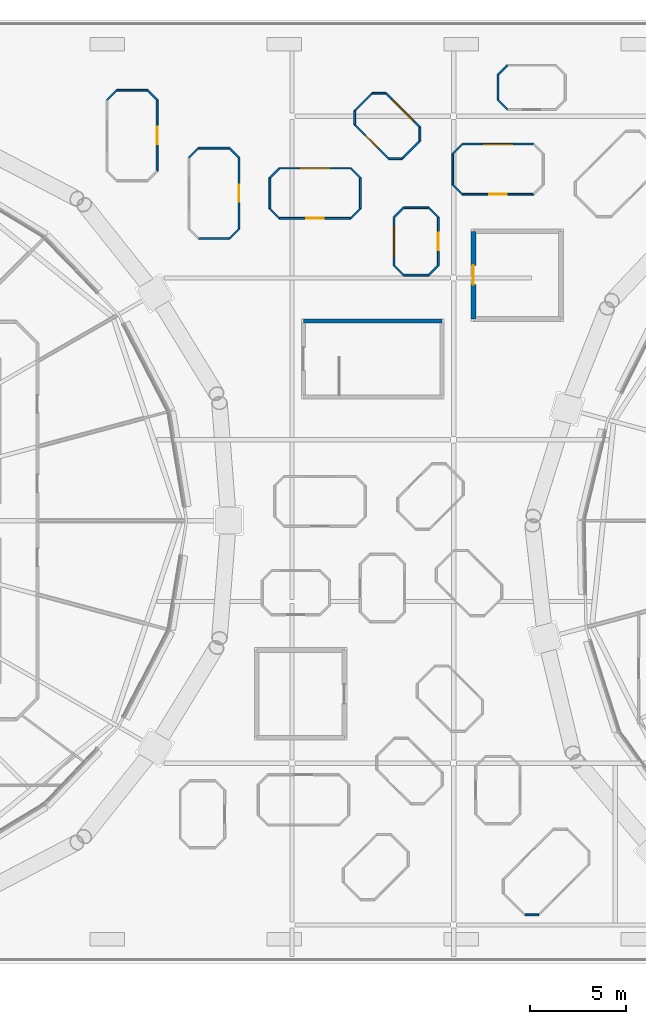
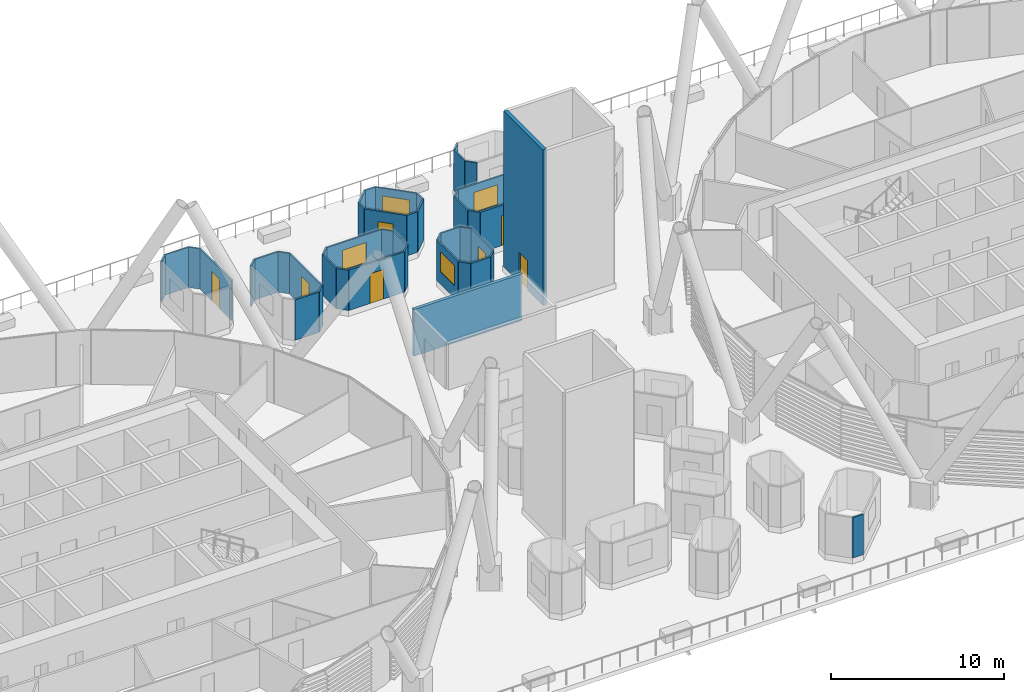
# One storey, part 29 of 47: 45 walls, 7 doors, 4 windows, 11 openings.
"""IFC4 building model written with IfcOpenShell, lengths in metres."""

from ifc_helpers import new_model, si_unit, direction, frame, frame_2d, origin, place, context, subcontext, project, spatial, rectangle, extrude, material, layer, layer_set, type_object, element, fill, save


model = new_model("IFC4")

# Units and contexts
model_context = context("Model", 3, precision=1e-05, world=origin(), true_north=direction((0.0, 1.0)))
body_context = subcontext(model_context, "Body", "Model", "MODEL_VIEW")
ifc_project = project(units=[si_unit("LENGTHUNIT", "METRE"), si_unit("AREAUNIT", "SQUARE_METRE"), si_unit("VOLUMEUNIT", "CUBIC_METRE"), si_unit("PLANEANGLEUNIT", "RADIAN"), si_unit("MASSUNIT", "GRAM", prefix="KILO")], contexts=[model_context])

# Site, building, storey
site_placement = place(None, origin())
site = spatial("IfcSite", under=ifc_project, at=site_placement, CompositionType="ELEMENT")
building_placement = place(site_placement, origin())
building = spatial("IfcBuilding", under=site, at=building_placement, Name="Rimbun Link Towers", CompositionType="ELEMENT")
storey_placement = place(building_placement, frame((0.0, 0.0, 30.0)))
storey = spatial("IfcBuildingStorey", under=building, at=storey_placement, Name="L06", CompositionType="ELEMENT", Elevation=30.0)

# Wall, opening, door
ifc_material_1 = material(Name="Terracotta-faced insulated sandwich panel", Category="masonry")
ifc_layer_1 = layer(ifc_material_1, 0.10009765625)
ifc_layer_set_1 = layer_set([ifc_layer_1], Name="CAPSULE entrance panel 100")
wall_type_1 = type_object("IfcWallType", Name="CAPSULE entrance panel 100", PredefinedType="STANDARD", material=ifc_layer_set_1)
wall_1_placement = place(storey_placement, frame((-4.85009765625, 15.699951171875, 0.409912109375), z_axis=(0.0, 0.0, 1.0), x_axis=(1.0, 0.0, 0.0)))
wall_1 = element("IfcWall", 1, at=wall_1_placement, inside=storey, type_object=wall_type_1, Name="CAPSULE P09 shell panel 7", PredefinedType="STANDARD", context=body_context, shape_type="SweptSolid", body=[
    extrude(rectangle(XDim=3.7001953125, YDim=0.10009765625, at=frame_2d((1.85009765625, 0.0))), origin(), (0.0, 0.0, 1.0), 2.85009765625),
])
opening_1_placement = place(wall_1_placement, frame((1.39990234375, 0.0, 0.0)))
opening_1 = element("IfcOpeningElement", 2, at=opening_1_placement, cuts=wall_1, Name="Opening CD06.09", PredefinedType="OPENING", context=body_context, shape_type="SweptSolid", body=[
    extrude(rectangle(XDim=0.89990234375, YDim=2.10009765625, at=frame_2d((0.449951171875, 1.050048828125))), frame((0.0, 0.06005859375, 0.0), z_axis=(0.0, -1.0, 0.0), x_axis=(1.0, 0.0, 0.0)), (0.0, 0.0, 1.0), 0.1201171875),
])
ifc_material_2 = material(Name="Aluminium framed insulated door leaf", Category="aluminium")
door_type_1 = type_object("IfcDoorType", Name="CAPSULE door single leaf 900X2100", OperationType="SINGLE_SWING_LEFT", PredefinedType="DOOR", material=ifc_material_2)
door_1_placement = place(opening_1_placement, origin())
door_1 = element("IfcDoor", 3, at=door_1_placement, inside=storey, type_object=door_type_1, Name="CAPSULE P09 door", OperationType="SINGLE_SWING_LEFT", OverallHeight=2.10009765625, OverallWidth=0.89990234375, PredefinedType="DOOR", context=body_context, shape_type="SweptSolid", body=[
    extrude(rectangle(XDim=0.89990234375, YDim=2.10009765625, at=frame_2d((0.449951171875, 1.050048828125))), frame((0.0, 0.02490234375, 0.0), z_axis=(0.0, -1.0, 0.0), x_axis=(1.0, 0.0, 0.0)), (0.0, 0.0, 1.0), 0.050048828125),
])
fill(opening_1, door_1)

wall_2_placement = place(storey_placement, frame((-6.949951171875, 15.14990234375, 0.409912109375), z_axis=(0.0, 0.0, 1.0), x_axis=(0.0, 1.0, 0.0)))
wall_2 = element("IfcWall", 4, at=wall_2_placement, inside=storey, type_object=wall_type_1, Name="CAPSULE P10 shell panel 7", PredefinedType="STANDARD", context=body_context, shape_type="SweptSolid", body=[
    extrude(rectangle(XDim=3.7001953125, YDim=0.10009765625, at=frame_2d((1.85009765625, 0.0))), origin(), (0.0, 0.0, 1.0), 2.85009765625),
])
opening_2_placement = place(wall_2_placement, frame((1.39990234375, 0.0, 0.0)))
opening_2 = element("IfcOpeningElement", 5, at=opening_2_placement, cuts=wall_2, Name="Opening CD06.10", PredefinedType="OPENING", context=body_context, shape_type="SweptSolid", body=[
    extrude(rectangle(XDim=0.89990234375, YDim=2.10009765625, at=frame_2d((0.449951171875, 1.050048828125))), frame((0.0, 0.06005859375, 0.0), z_axis=(0.0, -1.0, 0.0), x_axis=(1.0, 0.0, 0.0)), (0.0, 0.0, 1.0), 0.1201171875),
])
door_2_placement = place(opening_2_placement, origin())
door_2 = element("IfcDoor", 6, at=door_2_placement, inside=storey, type_object=door_type_1, Name="CAPSULE P10 door", OperationType="SINGLE_SWING_RIGHT", OverallHeight=2.10009765625, OverallWidth=0.89990234375, PredefinedType="DOOR", context=body_context, shape_type="SweptSolid", body=[
    extrude(rectangle(XDim=0.89990234375, YDim=2.10009765625, at=frame_2d((0.449951171875, 1.050048828125))), frame((0.0, 0.02490234375, 0.0), z_axis=(0.0, -1.0, 0.0), x_axis=(1.0, 0.0, 0.0)), (0.0, 0.0, 1.0), 0.050048828125),
])
fill(opening_2, door_2)

wall_3_placement = place(storey_placement, frame((3.39990234375, 13.25, 0.409912109375), z_axis=(0.0, 0.0, 1.0), x_axis=(0.0, 1.0, 0.0)))
wall_3 = element("IfcWall", 7, at=wall_3_placement, inside=storey, type_object=wall_type_1, Name="CAPSULE P15 shell panel 7", PredefinedType="STANDARD", context=body_context, shape_type="SweptSolid", body=[
    extrude(rectangle(XDim=2.5, YDim=0.10009765625, at=frame_2d((1.25, 0.0))), origin(), (0.0, 0.0, 1.0), 2.85009765625),
])
opening_3_placement = place(wall_3_placement, frame((0.800048828125, 0.0, 0.0)))
opening_3 = element("IfcOpeningElement", 8, at=opening_3_placement, cuts=wall_3, Name="Opening CD06.15", PredefinedType="OPENING", context=body_context, shape_type="SweptSolid", body=[
    extrude(rectangle(XDim=0.89990234375, YDim=2.10009765625, at=frame_2d((0.449951171875, 1.050048828125))), frame((0.0, 0.06005859375, 0.0), z_axis=(0.0, -1.0, 0.0), x_axis=(1.0, 0.0, 0.0)), (0.0, 0.0, 1.0), 0.1201171875),
])
door_3_placement = place(opening_3_placement, origin())
door_3 = element("IfcDoor", 9, at=door_3_placement, inside=storey, type_object=door_type_1, Name="CAPSULE P15 door", OperationType="SINGLE_SWING_LEFT", OverallHeight=2.10009765625, OverallWidth=0.89990234375, PredefinedType="DOOR", context=body_context, shape_type="SweptSolid", body=[
    extrude(rectangle(XDim=0.89990234375, YDim=2.10009765625, at=frame_2d((0.449951171875, 1.050048828125))), frame((0.0, 0.02490234375, 0.0), z_axis=(0.0, -1.0, 0.0), x_axis=(1.0, 0.0, 0.0)), (0.0, 0.0, 1.0), 0.050048828125),
])
fill(opening_3, door_3)

wall_4_placement = place(storey_placement, frame((4.64990234375, 16.949951171875, 0.409912109375), z_axis=(0.0, 0.0, 1.0), x_axis=(1.0, 0.0, 0.0)))
wall_4 = element("IfcWall", 10, at=wall_4_placement, inside=storey, type_object=wall_type_1, Name="CAPSULE P16 shell panel 7", PredefinedType="STANDARD", context=body_context, shape_type="SweptSolid", body=[
    extrude(rectangle(XDim=3.7001953125, YDim=0.10009765625, at=frame_2d((1.85009765625, 0.0))), origin(), (0.0, 0.0, 1.0), 2.85009765625),
])
opening_4_placement = place(wall_4_placement, frame((1.39990234375, 0.0, 0.0)))
opening_4 = element("IfcOpeningElement", 11, at=opening_4_placement, cuts=wall_4, Name="Opening CD06.16", PredefinedType="OPENING", context=body_context, shape_type="SweptSolid", body=[
    extrude(rectangle(XDim=0.89990234375, YDim=2.10009765625, at=frame_2d((0.449951171875, 1.050048828125))), frame((0.0, 0.06005859375, 0.0), z_axis=(0.0, -1.0, 0.0), x_axis=(1.0, 0.0, 0.0)), (0.0, 0.0, 1.0), 0.1201171875),
])
door_4_placement = place(opening_4_placement, origin())
door_4 = element("IfcDoor", 12, at=door_4_placement, inside=storey, type_object=door_type_1, Name="CAPSULE P16 door", OperationType="SINGLE_SWING_RIGHT", OverallHeight=2.10009765625, OverallWidth=0.89990234375, PredefinedType="DOOR", context=body_context, shape_type="SweptSolid", body=[
    extrude(rectangle(XDim=0.89990234375, YDim=2.10009765625, at=frame_2d((0.449951171875, 1.050048828125))), frame((0.0, 0.02490234375, 0.0), z_axis=(0.0, -1.0, 0.0), x_axis=(1.0, 0.0, 0.0)), (0.0, 0.0, 1.0), 0.050048828125),
])
fill(opening_4, door_4)

wall_5_placement = place(storey_placement, frame((-11.199951171875, 18.14990234375, 0.409912109375), z_axis=(0.0, 0.0, 1.0), x_axis=(0.0, 1.0, 0.0)))
wall_5 = element("IfcWall", 13, at=wall_5_placement, inside=storey, type_object=wall_type_1, Name="CAPSULE P18 shell panel 7", PredefinedType="STANDARD", context=body_context, shape_type="SweptSolid", body=[
    extrude(rectangle(XDim=3.7001953125, YDim=0.10009765625, at=frame_2d((1.85009765625, 0.0))), origin(), (0.0, 0.0, 1.0), 2.85009765625),
])
opening_5_placement = place(wall_5_placement, frame((1.39990234375, 0.0, 0.0)))
opening_5 = element("IfcOpeningElement", 14, at=opening_5_placement, cuts=wall_5, Name="Opening CD06.18", PredefinedType="OPENING", context=body_context, shape_type="SweptSolid", body=[
    extrude(rectangle(XDim=0.89990234375, YDim=2.10009765625, at=frame_2d((0.449951171875, 1.050048828125))), frame((0.0, 0.06005859375, 0.0), z_axis=(0.0, -1.0, 0.0), x_axis=(1.0, 0.0, 0.0)), (0.0, 0.0, 1.0), 0.1201171875),
])
door_5_placement = place(opening_5_placement, origin())
door_5 = element("IfcDoor", 15, at=door_5_placement, inside=storey, type_object=door_type_1, Name="CAPSULE P18 door", OperationType="SINGLE_SWING_RIGHT", OverallHeight=2.10009765625, OverallWidth=0.89990234375, PredefinedType="DOOR", context=body_context, shape_type="SweptSolid", body=[
    extrude(rectangle(XDim=0.89990234375, YDim=2.10009765625, at=frame_2d((0.449951171875, 1.050048828125))), frame((0.0, 0.02490234375, 0.0), z_axis=(0.0, -1.0, 0.0), x_axis=(1.0, 0.0, 0.0)), (0.0, 0.0, 1.0), 0.050048828125),
])
fill(opening_5, door_5)

wall_6_placement = place(storey_placement, frame((-0.947021484375, 20.57080078125, 0.409912109375), z_axis=(0.0, 0.0, 1.0), x_axis=(0.707106781187, -0.707106781187, 0.0)))
wall_6 = element("IfcWall", 16, at=wall_6_placement, inside=storey, type_object=wall_type_1, Name="CAPSULE P19 shell panel 3", PredefinedType="STANDARD", context=body_context, shape_type="SweptSolid", body=[
    extrude(rectangle(XDim=2.5, YDim=0.10009765625, at=frame_2d((1.25, 0.0))), origin(), (0.0, 0.0, 1.0), 2.85009765625),
])
opening_6_placement = place(wall_6_placement, frame((0.800048828125, 0.0, 0.0)))
opening_6 = element("IfcOpeningElement", 17, at=opening_6_placement, cuts=wall_6, Name="Opening CD06.19", PredefinedType="OPENING", context=body_context, shape_type="SweptSolid", body=[
    extrude(rectangle(XDim=0.89990234375, YDim=2.10009765625, at=frame_2d((0.449951171875, 1.050048828125))), frame((0.0, 0.06005859375, 0.0), z_axis=(0.0, -1.0, 0.0), x_axis=(1.0, 0.0, 0.0)), (0.0, 0.0, 1.0), 0.1201171875),
])
door_6_placement = place(opening_6_placement, origin())
door_6 = element("IfcDoor", 18, at=door_6_placement, inside=storey, type_object=door_type_1, Name="CAPSULE P19 door", OperationType="SINGLE_SWING_LEFT", OverallHeight=2.10009765625, OverallWidth=0.89990234375, PredefinedType="DOOR", context=body_context, shape_type="SweptSolid", body=[
    extrude(rectangle(XDim=0.89990234375, YDim=2.10009765625, at=frame_2d((0.449951171875, 1.050048828125))), frame((0.0, 0.02490234375, 0.0), z_axis=(0.0, -1.0, 0.0), x_axis=(1.0, 0.0, 0.0)), (0.0, 0.0, 1.0), 0.050048828125),
])
fill(opening_6, door_6)

# Walls
ifc_material_3 = material(Name="Terracotta-faced insulated sandwich panel", Category="masonry")
ifc_layer_2 = layer(ifc_material_3, 0.10009765625)
ifc_layer_set_2 = layer_set([ifc_layer_2], Name="CAPSULE shell panel 100")
wall_type_2 = type_object("IfcWallType", Name="CAPSULE shell panel 100", PredefinedType="STANDARD", material=ifc_layer_set_2)
wall_7_placement = place(storey_placement, frame((-0.64990234375, 16.199951171875, 0.409912109375), z_axis=(0.0, 0.0, 1.0), x_axis=(0.0, 1.0, 0.0)))
element("IfcWall", 19, at=wall_7_placement, inside=storey, type_object=wall_type_2, Name="CAPSULE P09 shell panel 1", PredefinedType="STANDARD", context=body_context, shape_type="SweptSolid", body=[
    extrude(rectangle(XDim=1.60009765625, YDim=0.10009765625, at=frame_2d((0.800048828125, 0.0))), origin(), (0.0, 0.0, 1.0), 2.85009765625),
])
wall_8_placement = place(storey_placement, frame((-0.64990234375, 17.800048828125, 0.409912109375), z_axis=(0.0, 0.0, 1.0), x_axis=(-0.707106781187, 0.707106781187, 0.0)))
element("IfcWall", 20, at=wall_8_placement, inside=storey, type_object=wall_type_2, Name="CAPSULE P09 shell panel 2", PredefinedType="STANDARD", context=body_context, shape_type="SweptSolid", body=[
    extrude(rectangle(XDim=0.70703125, YDim=0.10009765625, at=frame_2d((0.353515625, 0.0))), origin(), (0.0, 0.0, 1.0), 2.85009765625),
])

# Wall, opening, window
wall_9_placement = place(storey_placement, frame((-1.14990234375, 18.300048828125, 0.409912109375), z_axis=(0.0, 0.0, 1.0), x_axis=(-1.0, 0.0, 0.0)))
wall_9 = element("IfcWall", 21, at=wall_9_placement, inside=storey, type_object=wall_type_2, Name="CAPSULE P09 shell panel 3", PredefinedType="STANDARD", context=body_context, shape_type="SweptSolid", body=[
    extrude(rectangle(XDim=3.7001953125, YDim=0.10009765625, at=frame_2d((1.85009765625, 0.0))), origin(), (0.0, 0.0, 1.0), 2.85009765625),
])
opening_7_placement = place(wall_9_placement, frame((1.050048828125, 0.0, 0.89990234375)))
opening_7 = element("IfcOpeningElement", 22, at=opening_7_placement, cuts=wall_9, Name="Opening CN06.09", PredefinedType="OPENING", context=body_context, shape_type="SweptSolid", body=[
    extrude(rectangle(XDim=1.60009765625, YDim=1.39990234375, at=frame_2d((0.800048828125, 0.699951171875))), frame((0.0, 0.06005859375, 0.0), z_axis=(0.0, -1.0, 0.0), x_axis=(1.0, 0.0, 0.0)), (0.0, 0.0, 1.0), 0.1201171875),
])
ifc_material_4 = material(Name="Aluminium framed window, low-iron glass", Category="aluminium")
window_type = type_object("IfcWindowType", Name="CAPSULE window 1600X1400", PartitioningType="SINGLE_PANEL", PredefinedType="WINDOW", material=ifc_material_4)
window_1_placement = place(opening_7_placement, origin())
window_1 = element("IfcWindow", 23, at=window_1_placement, inside=storey, type_object=window_type, Name="CAPSULE P09 window", OverallHeight=1.39990234375, OverallWidth=1.60009765625, PartitioningType="SINGLE_PANEL", PredefinedType="WINDOW", context=body_context, shape_type="SweptSolid", body=[
    extrude(rectangle(XDim=1.60009765625, YDim=1.39990234375, at=frame_2d((0.800048828125, 0.699951171875))), frame((0.0, 0.030029296875, 0.0), z_axis=(0.0, -1.0, 0.0), x_axis=(1.0, 0.0, 0.0)), (0.0, 0.0, 1.0), 0.06005859375),
])
fill(opening_7, window_1)

# Walls
wall_10_placement = place(storey_placement, frame((-4.85009765625, 18.300048828125, 0.409912109375), z_axis=(0.0, 0.0, 1.0), x_axis=(-0.707106781187, -0.707106781187, 0.0)))
element("IfcWall", 24, at=wall_10_placement, inside=storey, type_object=wall_type_2, Name="CAPSULE P09 shell panel 4", PredefinedType="STANDARD", context=body_context, shape_type="SweptSolid", body=[
    extrude(rectangle(XDim=0.70703125, YDim=0.10009765625, at=frame_2d((0.353515625, 0.0))), origin(), (0.0, 0.0, 1.0), 2.85009765625),
])
wall_11_placement = place(storey_placement, frame((-5.35009765625, 17.800048828125, 0.409912109375), z_axis=(0.0, 0.0, 1.0), x_axis=(0.0, -1.0, 0.0)))
element("IfcWall", 25, at=wall_11_placement, inside=storey, type_object=wall_type_2, Name="CAPSULE P09 shell panel 5", PredefinedType="STANDARD", context=body_context, shape_type="SweptSolid", body=[
    extrude(rectangle(XDim=1.60009765625, YDim=0.10009765625, at=frame_2d((0.800048828125, 0.0))), origin(), (0.0, 0.0, 1.0), 2.85009765625),
])
for number, where, z_axis, x_axis, name in (
    (26, (-5.35009765625, 16.199951171875, 0.409912109375), (0.0, 0.0, 1.0), (0.707106781187, -0.707106781187, 0.0), "CAPSULE P09 shell panel 6"),
    (27, (-1.14990234375, 15.699951171875, 0.409912109375), (0.0, 0.0, 1.0), (0.707106781187, 0.707106781187, 0.0), "CAPSULE P09 shell panel 8"),
):
    element("IfcWall", number, at=place(storey_placement, frame(where, z_axis=z_axis, x_axis=x_axis)), inside=storey, type_object=wall_type_2, Name=name, PredefinedType="STANDARD", context=body_context, shape_type="SweptSolid", body=[
        extrude(rectangle(XDim=0.70703125, YDim=0.10009765625, at=frame_2d((0.353515625, 0.0))), origin(), (0.0, 0.0, 1.0), 2.85009765625),
    ])
wall_12_placement = place(storey_placement, frame((-7.449951171875, 19.35009765625, 0.409912109375), z_axis=(0.0, 0.0, 1.0), x_axis=(-1.0, 0.0, 0.0)))
element("IfcWall", 28, at=wall_12_placement, inside=storey, type_object=wall_type_2, Name="CAPSULE P10 shell panel 1", PredefinedType="STANDARD", context=body_context, shape_type="SweptSolid", body=[
    extrude(rectangle(XDim=1.60009765625, YDim=0.10009765625, at=frame_2d((0.800048828125, 0.0))), origin(), (0.0, 0.0, 1.0), 2.85009765625),
])
wall_13_placement = place(storey_placement, frame((-9.050048828125, 19.35009765625, 0.409912109375), z_axis=(0.0, 0.0, 1.0), x_axis=(-0.707106781187, -0.707106781187, 0.0)))
element("IfcWall", 29, at=wall_13_placement, inside=storey, type_object=wall_type_2, Name="CAPSULE P10 shell panel 2", PredefinedType="STANDARD", context=body_context, shape_type="SweptSolid", body=[
    extrude(rectangle(XDim=0.70703125, YDim=0.10009765625, at=frame_2d((0.353515625, 0.0))), origin(), (0.0, 0.0, 1.0), 2.85009765625),
])
wall_14_placement = place(storey_placement, frame((-9.050048828125, 14.64990234375, 0.409912109375), z_axis=(0.0, 0.0, 1.0), x_axis=(1.0, 0.0, 0.0)))
element("IfcWall", 30, at=wall_14_placement, inside=storey, type_object=wall_type_2, Name="CAPSULE P10 shell panel 5", PredefinedType="STANDARD", context=body_context, shape_type="SweptSolid", body=[
    extrude(rectangle(XDim=1.60009765625, YDim=0.10009765625, at=frame_2d((0.800048828125, 0.0))), origin(), (0.0, 0.0, 1.0), 2.85009765625),
])
for number, where, z_axis, x_axis, name in (
    (31, (-7.449951171875, 14.64990234375, 0.409912109375), (0.0, 0.0, 1.0), (0.707106781187, 0.707106781187, 0.0), "CAPSULE P10 shell panel 6"),
    (32, (-6.949951171875, 18.85009765625, 0.409912109375), (0.0, 0.0, 1.0), (-0.707106781187, 0.707106781187, 0.0), "CAPSULE P10 shell panel 8"),
    (33, (7.904052734375, -20.477294921875, 0.409912109375), (0.0, 0.0, 1.0), (1.0, 0.0, 0.0), "CAPSULE P12 shell panel 6"),
):
    element("IfcWall", number, at=place(storey_placement, frame(where, z_axis=z_axis, x_axis=x_axis)), inside=storey, type_object=wall_type_2, Name=name, PredefinedType="STANDARD", context=body_context, shape_type="SweptSolid", body=[
        extrude(rectangle(XDim=0.70703125, YDim=0.10009765625, at=frame_2d((0.353515625, 0.0))), origin(), (0.0, 0.0, 1.0), 2.85009765625),
    ])
wall_15_placement = place(storey_placement, frame((2.89990234375, 16.25, 0.409912109375), z_axis=(0.0, 0.0, 1.0), x_axis=(-1.0, 0.0, 0.0)))
element("IfcWall", 34, at=wall_15_placement, inside=storey, type_object=wall_type_2, Name="CAPSULE P15 shell panel 1", PredefinedType="STANDARD", context=body_context, shape_type="SweptSolid", body=[
    extrude(rectangle(XDim=1.2998046875, YDim=0.10009765625, at=frame_2d((0.64990234375, 0.0))), origin(), (0.0, 0.0, 1.0), 2.85009765625),
])
wall_16_placement = place(storey_placement, frame((1.60009765625, 16.25, 0.409912109375), z_axis=(0.0, 0.0, 1.0), x_axis=(-0.707106781187, -0.707106781187, 0.0)))
element("IfcWall", 35, at=wall_16_placement, inside=storey, type_object=wall_type_2, Name="CAPSULE P15 shell panel 2", PredefinedType="STANDARD", context=body_context, shape_type="SweptSolid", body=[
    extrude(rectangle(XDim=0.70703125, YDim=0.10009765625, at=frame_2d((0.353515625, 0.0))), origin(), (0.0, 0.0, 1.0), 2.85009765625),
])

# Wall, opening, window
wall_17_placement = place(storey_placement, frame((1.10009765625, 15.75, 0.409912109375), z_axis=(0.0, 0.0, 1.0), x_axis=(0.0, -1.0, 0.0)))
wall_17 = element("IfcWall", 36, at=wall_17_placement, inside=storey, type_object=wall_type_2, Name="CAPSULE P15 shell panel 3", PredefinedType="STANDARD", context=body_context, shape_type="SweptSolid", body=[
    extrude(rectangle(XDim=2.5, YDim=0.10009765625, at=frame_2d((1.25, 0.0))), origin(), (0.0, 0.0, 1.0), 2.85009765625),
])
opening_8_placement = place(wall_17_placement, frame((0.449951171875, 0.0, 0.89990234375)))
opening_8 = element("IfcOpeningElement", 37, at=opening_8_placement, cuts=wall_17, Name="Opening CN06.15", PredefinedType="OPENING", context=body_context, shape_type="SweptSolid", body=[
    extrude(rectangle(XDim=1.60009765625, YDim=1.39990234375, at=frame_2d((0.800048828125, 0.699951171875))), frame((0.0, 0.06005859375, 0.0), z_axis=(0.0, -1.0, 0.0), x_axis=(1.0, 0.0, 0.0)), (0.0, 0.0, 1.0), 0.1201171875),
])
window_2_placement = place(opening_8_placement, origin())
window_2 = element("IfcWindow", 38, at=window_2_placement, inside=storey, type_object=window_type, Name="CAPSULE P15 window", OverallHeight=1.39990234375, OverallWidth=1.60009765625, PartitioningType="SINGLE_PANEL", PredefinedType="WINDOW", context=body_context, shape_type="SweptSolid", body=[
    extrude(rectangle(XDim=1.60009765625, YDim=1.39990234375, at=frame_2d((0.800048828125, 0.699951171875))), frame((0.0, 0.030029296875, 0.0), z_axis=(0.0, -1.0, 0.0), x_axis=(1.0, 0.0, 0.0)), (0.0, 0.0, 1.0), 0.06005859375),
])
fill(opening_8, window_2)

# Walls
wall_18_placement = place(storey_placement, frame((1.10009765625, 13.25, 0.409912109375), z_axis=(0.0, 0.0, 1.0), x_axis=(0.707106781187, -0.707106781187, 0.0)))
element("IfcWall", 39, at=wall_18_placement, inside=storey, type_object=wall_type_2, Name="CAPSULE P15 shell panel 4", PredefinedType="STANDARD", context=body_context, shape_type="SweptSolid", body=[
    extrude(rectangle(XDim=0.70703125, YDim=0.10009765625, at=frame_2d((0.353515625, 0.0))), origin(), (0.0, 0.0, 1.0), 2.85009765625),
])
wall_19_placement = place(storey_placement, frame((1.60009765625, 12.75, 0.409912109375), z_axis=(0.0, 0.0, 1.0), x_axis=(1.0, 0.0, 0.0)))
element("IfcWall", 40, at=wall_19_placement, inside=storey, type_object=wall_type_2, Name="CAPSULE P15 shell panel 5", PredefinedType="STANDARD", context=body_context, shape_type="SweptSolid", body=[
    extrude(rectangle(XDim=1.2998046875, YDim=0.10009765625, at=frame_2d((0.64990234375, 0.0))), origin(), (0.0, 0.0, 1.0), 2.85009765625),
])
for number, where, z_axis, x_axis, name in (
    (41, (2.89990234375, 12.75, 0.409912109375), (0.0, 0.0, 1.0), (0.707106781187, 0.707106781187, 0.0), "CAPSULE P15 shell panel 6"),
    (42, (3.39990234375, 15.75, 0.409912109375), (0.0, 0.0, 1.0), (-0.707106781187, 0.707106781187, 0.0), "CAPSULE P15 shell panel 8"),
):
    element("IfcWall", number, at=place(storey_placement, frame(where, z_axis=z_axis, x_axis=x_axis)), inside=storey, type_object=wall_type_2, Name=name, PredefinedType="STANDARD", context=body_context, shape_type="SweptSolid", body=[
        extrude(rectangle(XDim=0.70703125, YDim=0.10009765625, at=frame_2d((0.353515625, 0.0))), origin(), (0.0, 0.0, 1.0), 2.85009765625),
    ])

# Wall, opening, window
wall_20_placement = place(storey_placement, frame((8.35009765625, 19.550048828125, 0.409912109375), z_axis=(0.0, 0.0, 1.0), x_axis=(-1.0, 0.0, 0.0)))
wall_20 = element("IfcWall", 43, at=wall_20_placement, inside=storey, type_object=wall_type_2, Name="CAPSULE P16 shell panel 3", PredefinedType="STANDARD", context=body_context, shape_type="SweptSolid", body=[
    extrude(rectangle(XDim=3.7001953125, YDim=0.10009765625, at=frame_2d((1.85009765625, 0.0))), origin(), (0.0, 0.0, 1.0), 2.85009765625),
])
opening_9_placement = place(wall_20_placement, frame((1.050048828125, 0.0, 0.89990234375)))
opening_9 = element("IfcOpeningElement", 44, at=opening_9_placement, cuts=wall_20, Name="Opening CN06.16", PredefinedType="OPENING", context=body_context, shape_type="SweptSolid", body=[
    extrude(rectangle(XDim=1.60009765625, YDim=1.39990234375, at=frame_2d((0.800048828125, 0.699951171875))), frame((0.0, 0.06005859375, 0.0), z_axis=(0.0, -1.0, 0.0), x_axis=(1.0, 0.0, 0.0)), (0.0, 0.0, 1.0), 0.1201171875),
])
window_3_placement = place(opening_9_placement, origin())
window_3 = element("IfcWindow", 45, at=window_3_placement, inside=storey, type_object=window_type, Name="CAPSULE P16 window", OverallHeight=1.39990234375, OverallWidth=1.60009765625, PartitioningType="SINGLE_PANEL", PredefinedType="WINDOW", context=body_context, shape_type="SweptSolid", body=[
    extrude(rectangle(XDim=1.60009765625, YDim=1.39990234375, at=frame_2d((0.800048828125, 0.699951171875))), frame((0.0, 0.030029296875, 0.0), z_axis=(0.0, -1.0, 0.0), x_axis=(1.0, 0.0, 0.0)), (0.0, 0.0, 1.0), 0.06005859375),
])
fill(opening_9, window_3)

# Walls
wall_21_placement = place(storey_placement, frame((4.64990234375, 19.550048828125, 0.409912109375), z_axis=(0.0, 0.0, 1.0), x_axis=(-0.707106781187, -0.707106781187, 0.0)))
element("IfcWall", 46, at=wall_21_placement, inside=storey, type_object=wall_type_2, Name="CAPSULE P16 shell panel 4", PredefinedType="STANDARD", context=body_context, shape_type="SweptSolid", body=[
    extrude(rectangle(XDim=0.70703125, YDim=0.10009765625, at=frame_2d((0.353515625, 0.0))), origin(), (0.0, 0.0, 1.0), 2.85009765625),
])
wall_22_placement = place(storey_placement, frame((4.14990234375, 19.050048828125, 0.409912109375), z_axis=(0.0, 0.0, 1.0), x_axis=(0.0, -1.0, 0.0)))
element("IfcWall", 47, at=wall_22_placement, inside=storey, type_object=wall_type_2, Name="CAPSULE P16 shell panel 5", PredefinedType="STANDARD", context=body_context, shape_type="SweptSolid", body=[
    extrude(rectangle(XDim=1.60009765625, YDim=0.10009765625, at=frame_2d((0.800048828125, 0.0))), origin(), (0.0, 0.0, 1.0), 2.85009765625),
])
wall_23_placement = place(storey_placement, frame((4.14990234375, 17.449951171875, 0.409912109375), z_axis=(0.0, 0.0, 1.0), x_axis=(0.707106781187, -0.707106781187, 0.0)))
element("IfcWall", 48, at=wall_23_placement, inside=storey, type_object=wall_type_2, Name="CAPSULE P16 shell panel 6", PredefinedType="STANDARD", context=body_context, shape_type="SweptSolid", body=[
    extrude(rectangle(XDim=0.70703125, YDim=0.10009765625, at=frame_2d((0.353515625, 0.0))), origin(), (0.0, 0.0, 1.0), 2.85009765625),
])
wall_24_placement = place(storey_placement, frame((-11.699951171875, 22.35009765625, 0.409912109375), z_axis=(0.0, 0.0, 1.0), x_axis=(-1.0, 0.0, 0.0)))
element("IfcWall", 49, at=wall_24_placement, inside=storey, type_object=wall_type_2, Name="CAPSULE P18 shell panel 1", PredefinedType="STANDARD", context=body_context, shape_type="SweptSolid", body=[
    extrude(rectangle(XDim=1.60009765625, YDim=0.10009765625, at=frame_2d((0.800048828125, 0.0))), origin(), (0.0, 0.0, 1.0), 2.85009765625),
])
for number, where, z_axis, x_axis, name in (
    (50, (-13.300048828125, 22.35009765625, 0.409912109375), (0.0, 0.0, 1.0), (-0.707106781187, -0.707106781187, 0.0), "CAPSULE P18 shell panel 2"),
    (51, (-11.199951171875, 21.85009765625, 0.409912109375), (0.0, 0.0, 1.0), (-0.707106781187, 0.707106781187, 0.0), "CAPSULE P18 shell panel 8"),
):
    element("IfcWall", number, at=place(storey_placement, frame(where, z_axis=z_axis, x_axis=x_axis)), inside=storey, type_object=wall_type_2, Name=name, PredefinedType="STANDARD", context=body_context, shape_type="SweptSolid", body=[
        extrude(rectangle(XDim=0.70703125, YDim=0.10009765625, at=frame_2d((0.353515625, 0.0))), origin(), (0.0, 0.0, 1.0), 2.85009765625),
    ])
wall_25_placement = place(storey_placement, frame((-0.02783203125, 22.197021484375, 0.409912109375), z_axis=(0.0, 0.0, 1.0), x_axis=(-0.707106781187, -0.707106781187, 0.0)))
element("IfcWall", 52, at=wall_25_placement, inside=storey, type_object=wall_type_2, Name="CAPSULE P19 shell panel 1", PredefinedType="STANDARD", context=body_context, shape_type="SweptSolid", body=[
    extrude(rectangle(XDim=1.300048828125, YDim=0.10009765625, at=frame_2d((0.64990234375, 0.0))), origin(), (0.0, 0.0, 1.0), 2.85009765625),
])
for number, where, z_axis, x_axis, name in (
    (53, (-0.947021484375, 21.27783203125, 0.409912109375), (0.0, 0.0, 1.0), (0.0, -1.0, 0.0), "CAPSULE P19 shell panel 2"),
    (54, (0.82080078125, 18.802978515625, 0.409912109375), (0.0, 0.0, 1.0), (1.0, 0.0, 0.0), "CAPSULE P19 shell panel 4"),
):
    element("IfcWall", number, at=place(storey_placement, frame(where, z_axis=z_axis, x_axis=x_axis)), inside=storey, type_object=wall_type_2, Name=name, PredefinedType="STANDARD", context=body_context, shape_type="SweptSolid", body=[
        extrude(rectangle(XDim=0.70703125, YDim=0.10009765625, at=frame_2d((0.353515625, 0.0))), origin(), (0.0, 0.0, 1.0), 2.85009765625),
    ])
wall_26_placement = place(storey_placement, frame((1.52783203125, 18.802978515625, 0.409912109375), z_axis=(0.0, 0.0, 1.0), x_axis=(0.707106781187, 0.707106781187, 0.0)))
element("IfcWall", 55, at=wall_26_placement, inside=storey, type_object=wall_type_2, Name="CAPSULE P19 shell panel 5", PredefinedType="STANDARD", context=body_context, shape_type="SweptSolid", body=[
    extrude(rectangle(XDim=1.300048828125, YDim=0.10009765625, at=frame_2d((0.64990234375, 0.0))), origin(), (0.0, 0.0, 1.0), 2.85009765625),
])
wall_27_placement = place(storey_placement, frame((2.447021484375, 19.72216796875, 0.409912109375), z_axis=(0.0, 0.0, 1.0), x_axis=(0.0, 1.0, 0.0)))
element("IfcWall", 56, at=wall_27_placement, inside=storey, type_object=wall_type_2, Name="CAPSULE P19 shell panel 6", PredefinedType="STANDARD", context=body_context, shape_type="SweptSolid", body=[
    extrude(rectangle(XDim=0.70703125, YDim=0.10009765625, at=frame_2d((0.353515625, 0.0))), origin(), (0.0, 0.0, 1.0), 2.85009765625),
])

# Wall, opening, window
wall_28_placement = place(storey_placement, frame((2.447021484375, 20.42919921875, 0.409912109375), z_axis=(0.0, 0.0, 1.0), x_axis=(-0.707106781187, 0.707106781187, 0.0)))
wall_28 = element("IfcWall", 57, at=wall_28_placement, inside=storey, type_object=wall_type_2, Name="CAPSULE P19 shell panel 7", PredefinedType="STANDARD", context=body_context, shape_type="SweptSolid", body=[
    extrude(rectangle(XDim=2.5, YDim=0.10009765625, at=frame_2d((1.25, 0.0))), origin(), (0.0, 0.0, 1.0), 2.85009765625),
])
opening_10_placement = place(wall_28_placement, frame((0.449951171875, 0.0, 0.89990234375)))
opening_10 = element("IfcOpeningElement", 58, at=opening_10_placement, cuts=wall_28, Name="Opening CN06.19", PredefinedType="OPENING", context=body_context, shape_type="SweptSolid", body=[
    extrude(rectangle(XDim=1.60009765625, YDim=1.39990234375, at=frame_2d((0.800048828125, 0.699951171875))), frame((0.0, 0.06005859375, 0.0), z_axis=(0.0, -1.0, 0.0), x_axis=(1.0, 0.0, 0.0)), (0.0, 0.0, 1.0), 0.1201171875),
])
window_4_placement = place(opening_10_placement, origin())
window_4 = element("IfcWindow", 59, at=window_4_placement, inside=storey, type_object=window_type, Name="CAPSULE P19 window", OverallHeight=1.39990234375, OverallWidth=1.60009765625, PartitioningType="SINGLE_PANEL", PredefinedType="WINDOW", context=body_context, shape_type="SweptSolid", body=[
    extrude(rectangle(XDim=1.60009765625, YDim=1.39990234375, at=frame_2d((0.800048828125, 0.699951171875))), frame((0.0, 0.030029296875, 0.0), z_axis=(0.0, -1.0, 0.0), x_axis=(1.0, 0.0, 0.0)), (0.0, 0.0, 1.0), 0.06005859375),
])
fill(opening_10, window_4)

# Walls
for number, where, z_axis, x_axis, name in (
    (60, (0.67919921875, 22.197021484375, 0.409912109375), (0.0, 0.0, 1.0), (-1.0, 0.0, 0.0), "CAPSULE P19 shell panel 8"),
    (61, (7.0, 23.64990234375, 0.409912109375), (0.0, 0.0, 1.0), (-0.707106781187, -0.707106781187, 0.0), "CAPSULE P20 shell panel 4"),
):
    element("IfcWall", number, at=place(storey_placement, frame(where, z_axis=z_axis, x_axis=x_axis)), inside=storey, type_object=wall_type_2, Name=name, PredefinedType="STANDARD", context=body_context, shape_type="SweptSolid", body=[
        extrude(rectangle(XDim=0.70703125, YDim=0.10009765625, at=frame_2d((0.353515625, 0.0))), origin(), (0.0, 0.0, 1.0), 2.85009765625),
    ])
wall_29_placement = place(storey_placement, frame((6.5, 23.14990234375, 0.409912109375), z_axis=(0.0, 0.0, 1.0), x_axis=(0.0, -1.0, 0.0)))
element("IfcWall", 62, at=wall_29_placement, inside=storey, type_object=wall_type_2, Name="CAPSULE P20 shell panel 5", PredefinedType="STANDARD", context=body_context, shape_type="SweptSolid", body=[
    extrude(rectangle(XDim=1.2998046875, YDim=0.10009765625, at=frame_2d((0.64990234375, 0.0))), origin(), (0.0, 0.0, 1.0), 2.85009765625),
])
wall_30_placement = place(storey_placement, frame((6.5, 21.85009765625, 0.409912109375), z_axis=(0.0, 0.0, 1.0), x_axis=(0.707106781187, -0.707106781187, 0.0)))
element("IfcWall", 63, at=wall_30_placement, inside=storey, type_object=wall_type_2, Name="CAPSULE P20 shell panel 6", PredefinedType="STANDARD", context=body_context, shape_type="SweptSolid", body=[
    extrude(rectangle(XDim=0.70703125, YDim=0.10009765625, at=frame_2d((0.353515625, 0.0))), origin(), (0.0, 0.0, 1.0), 2.85009765625),
])

# Wall, opening, door
ifc_material_5 = material(Name="Concrete C40/50", Category="concrete")
ifc_layer_3 = layer(ifc_material_5, 0.25)
ifc_layer_set_3 = layer_set([ifc_layer_3], Name="Service trunk wall 250")
wall_type_3 = type_object("IfcWallType", Name="Service trunk wall 250", PredefinedType="STANDARD", material=ifc_layer_set_3)
wall_31_placement = place(storey_placement, frame((5.22509765625, 15.02490234375, 0.409912109375), z_axis=(0.0, 0.0, 1.0), x_axis=(0.0, -1.0, 0.0)))
wall_31 = element("IfcWall", 64, at=wall_31_placement, inside=storey, type_object=wall_type_3, Name="Service trunk 2 wall 4", PredefinedType="STANDARD", context=body_context, shape_type="SweptSolid", body=[
    extrude(rectangle(XDim=4.5498046875, YDim=0.25, at=frame_2d((2.27490234375, 0.0))), origin(), (0.0, 0.0, 1.0), 10.989990234375),
])
opening_11_placement = place(wall_31_placement, frame((1.77490234375, 0.0, 0.0)))
opening_11 = element("IfcOpeningElement", 65, at=opening_11_placement, cuts=wall_31, Name="Opening TD02", PredefinedType="OPENING", context=body_context, shape_type="SweptSolid", body=[
    extrude(rectangle(XDim=1.0, YDim=2.10009765625, at=frame_2d((0.5, 1.050048828125))), frame((0.0, 0.135009765625, 0.0), z_axis=(0.0, -1.0, 0.0), x_axis=(1.0, 0.0, 0.0)), (0.0, 0.0, 1.0), 0.27001953125),
])
ifc_material_6 = material(Name="Steel framed fire door leaf", Category="steel")
door_type_2 = type_object("IfcDoorType", Name="Service trunk door single leaf 1000X2100", OperationType="SINGLE_SWING_LEFT", PredefinedType="DOOR", material=ifc_material_6)
door_7_placement = place(opening_11_placement, origin())
door_7 = element("IfcDoor", 66, at=door_7_placement, inside=storey, type_object=door_type_2, Name="Service trunk 2 door", OperationType="SINGLE_SWING_LEFT", OverallHeight=2.10009765625, OverallWidth=1.0, PredefinedType="DOOR", context=body_context, shape_type="SweptSolid", body=[
    extrude(rectangle(XDim=1.0, YDim=2.10009765625, at=frame_2d((0.5, 1.050048828125))), frame((0.0, 0.02490234375, 0.0), z_axis=(0.0, -1.0, 0.0), x_axis=(1.0, 0.0, 0.0)), (0.0, 0.0, 1.0), 0.050048828125),
])
fill(opening_11, door_7)

# Wall
ifc_material_7 = material(Name="Concrete C40/50", Category="concrete")
ifc_layer_4 = layer(ifc_material_7, 0.199951171875)
ifc_layer_set_4 = layer_set([ifc_layer_4], Name="Stair shaft wall 200")
wall_type_4 = type_object("IfcWallType", Name="Stair shaft wall 200", PredefinedType="SOLIDWALL", material=ifc_layer_set_4)
wall_32_placement = place(storey_placement, frame((3.60009765625, 10.375, 0.0), z_axis=(0.0, 0.0, 1.0), x_axis=(-1.0, 0.0, 0.0)))
element("IfcWall", 67, at=wall_32_placement, inside=storey, type_object=wall_type_4, Name="Stair head house wall", PredefinedType="SOLIDWALL", context=body_context, shape_type="SweptSolid", body=[
    extrude(rectangle(XDim=7.2001953125, YDim=0.199951171875, at=frame_2d((3.60009765625, 0.0))), origin(), (0.0, 0.0, 1.0), 3.300048828125),
])

save(model, "model.ifc")
